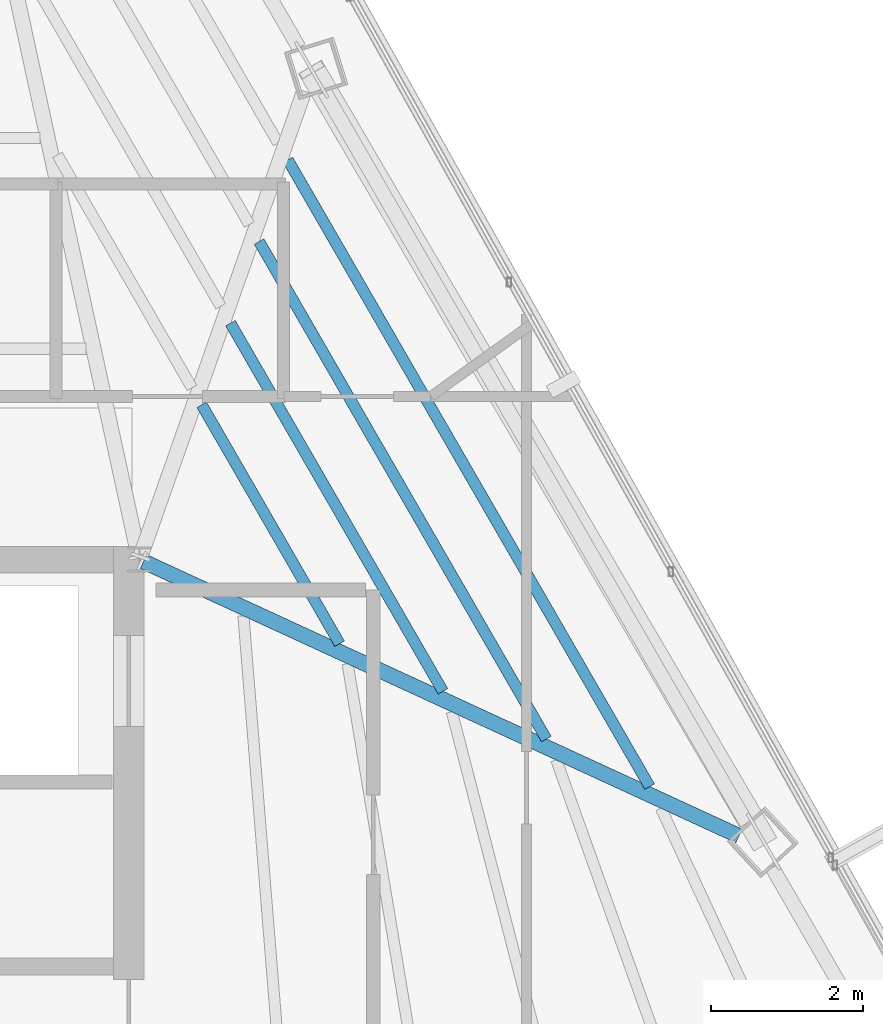
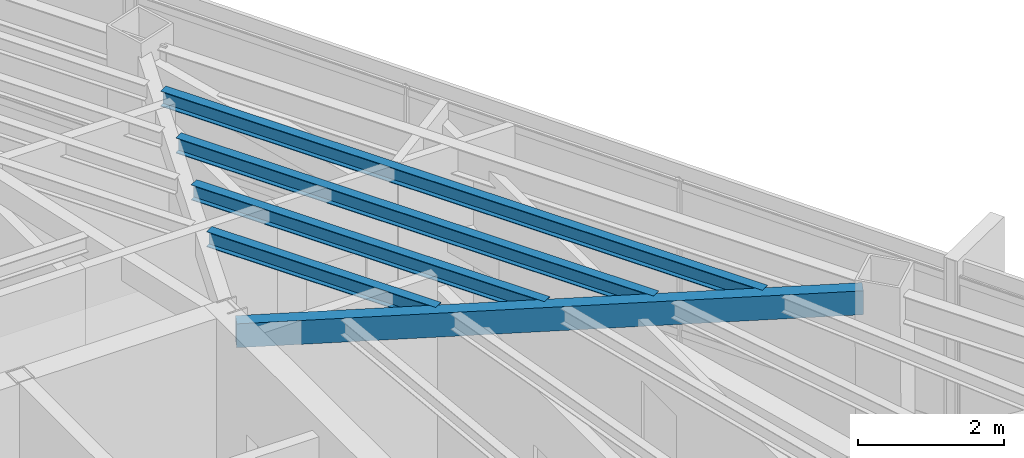
# One storey, part 27 of 46: 5 beams.
"""IFC4 building model written with IfcOpenShell, lengths in metres."""

from ifc_helpers import new_model, si_unit, direction, frame, origin, origin_2d, place, context, subcontext, project, spatial, hollow_rectangle, i_section, extrude, source, transform, mapped, material, material_profile, profile_set, type_object, type_shapes, element, save


model = new_model("IFC4")

# Units and contexts
model_context = context("Model", 3, precision=1e-05, world=origin(), true_north=direction((0.0, 1.0)))
body_context = subcontext(model_context, "Body", "Model", "MODEL_VIEW")
ifc_project = project(units=[si_unit("LENGTHUNIT", "METRE"), si_unit("AREAUNIT", "SQUARE_METRE"), si_unit("VOLUMEUNIT", "CUBIC_METRE"), si_unit("PLANEANGLEUNIT", "RADIAN"), si_unit("MASSUNIT", "GRAM", prefix="KILO")], contexts=[model_context])

# Site, building, storey
site_placement = place(None, origin())
site = spatial("IfcSite", under=ifc_project, at=site_placement, CompositionType="ELEMENT")
building_placement = place(site_placement, origin())
building = spatial("IfcBuilding", under=site, at=building_placement, Name="Caelisora Broadcast Tower", CompositionType="ELEMENT")
storey_placement = place(building_placement, frame((0.0, 0.0, 251.75)))
storey = spatial("IfcBuildingStorey", under=building, at=storey_placement, Name="L66", CompositionType="ELEMENT", Elevation=251.75)

# Beams
ifc_material_1 = material(Name="Steel Grade 350 (AS/NZS 1163 C350L0)", Category="steel")
ifc_material_profile_1 = material_profile(ifc_material_1, hollow_rectangle(XDim=0.199951171875, YDim=0.39990234375, WallThickness=0.012451171875, at=origin_2d()), Name="Steel Grade 350 (AS/NZS 1163 C350L0)")
ifc_profile_set_1 = profile_set([ifc_material_profile_1], Name="Steel Grade 350 (AS/NZS 1163 C350L0)")
beam_type_1 = type_object("IfcBeamType", Name="PG07", PredefinedType="BEAM", material=ifc_profile_set_1)
shared_shape_1 = source(origin(), body_context, "Body", "SweptSolid", [
    extrude(hollow_rectangle(XDim=0.199951171875, YDim=0.39990234375, WallThickness=0.012451171875, at=origin_2d()), origin(), (0.0, 0.0, 1.0), 8.63818359375),
])
type_shapes(beam_type_1, [shared_shape_1])
beam_1_placement = place(storey_placement, frame((45.554443359375, 29.974853515625, 3.199951171875), z_axis=(0.908170206854, -0.418601093384, 0.0), x_axis=(0.418601093384, 0.908170206854, 0.0)))
element("IfcBeam", 1, at=beam_1_placement, inside=storey, type_object=beam_type_1, Name="L66 beam PG07", PredefinedType="BEAM", context=body_context, shape_type="MappedRepresentation", body=[
    mapped(shared_shape_1, transform((0.0, 0.0, 0.0), scale=1.0)),
])
ifc_material_2 = material(Name="Steel Grade 350 (AS/NZS 3679.1)", Category="steel")
ifc_material_profile_2 = material_profile(ifc_material_2, i_section(OverallWidth=0.14599609375, OverallDepth=0.256103515625, WebThickness=0.00634765625, FlangeThickness=0.010986328125, at=origin_2d()), Name="Steel Grade 350 (AS/NZS 3679.1)")
ifc_profile_set_2 = profile_set([ifc_material_profile_2], Name="Steel Grade 350 (AS/NZS 3679.1)")
beam_type_2 = type_object("IfcBeamType", Name="SB04", PredefinedType="JOIST", material=ifc_profile_set_2)
shared_shape_2 = source(origin(), body_context, "Body", "SweptSolid", [
    extrude(i_section(OverallWidth=0.14599609375, OverallDepth=0.256103515625, WebThickness=0.00634765625, FlangeThickness=0.010986328125, at=origin_2d()), origin(), (0.0, 0.0, 1.0), 3.634521484375),
])
beam_2_placement = place(storey_placement, frame((48.13818359375, 28.89208984375, 3.27197265625), z_axis=(-0.499960853992, 0.866048003563, 0.0), x_axis=(-0.866048003563, -0.499960853992, 0.0)))
element("IfcBeam", 2, at=beam_2_placement, inside=storey, type_object=beam_type_2, Name="L66 beam SB04", PredefinedType="JOIST", context=body_context, shape_type="MappedRepresentation", body=[
    mapped(shared_shape_2, transform((0.0, 0.0, 0.0), scale=1.0)),
])
shared_shape_3 = source(origin(), body_context, "Body", "SweptSolid", [
    extrude(i_section(OverallWidth=0.14599609375, OverallDepth=0.256103515625, WebThickness=0.00634765625, FlangeThickness=0.010986328125, at=origin_2d()), origin(), (0.0, 0.0, 1.0), 5.601318359375),
])
beam_3_placement = place(storey_placement, frame((49.5, 28.264404296875, 3.27197265625), z_axis=(-0.500020512648, 0.866013560478, 0.0), x_axis=(-0.866013560478, -0.500020512648, 0.0)))
element("IfcBeam", 3, at=beam_3_placement, inside=storey, type_object=beam_type_2, Name="L66 beam SB04", PredefinedType="JOIST", context=body_context, shape_type="MappedRepresentation", body=[
    mapped(shared_shape_3, transform((0.0, 0.0, 0.0), scale=1.0)),
])
shared_shape_4 = source(origin(), body_context, "Body", "SweptSolid", [
    extrude(i_section(OverallWidth=0.14599609375, OverallDepth=0.256103515625, WebThickness=0.00634765625, FlangeThickness=0.010986328125, at=origin_2d()), origin(), (0.0, 0.0, 1.0), 7.56787109375),
])
beam_4_placement = place(storey_placement, frame((50.861572265625, 27.636962890625, 3.27197265625), z_axis=(-0.500000774816, 0.866024956444, 0.0), x_axis=(-0.866024956444, -0.500000774816, 0.0)))
element("IfcBeam", 4, at=beam_4_placement, inside=storey, type_object=beam_type_2, Name="L66 beam SB04", PredefinedType="JOIST", context=body_context, shape_type="MappedRepresentation", body=[
    mapped(shared_shape_4, transform((0.0, 0.0, 0.0), scale=1.0)),
])
shared_shape_5 = source(origin(), body_context, "Body", "SweptSolid", [
    extrude(i_section(OverallWidth=0.14599609375, OverallDepth=0.256103515625, WebThickness=0.00634765625, FlangeThickness=0.010986328125, at=origin_2d()), origin(), (0.0, 0.0, 1.0), 9.53466796875),
])
type_shapes(beam_type_2, [shared_shape_2, shared_shape_3, shared_shape_4, shared_shape_5])
beam_5_placement = place(storey_placement, frame((52.223388671875, 27.00927734375, 3.27197265625), z_axis=(-0.499997295977, 0.866026964947, 0.0), x_axis=(-0.866026964947, -0.499997295977, 0.0)))
element("IfcBeam", 5, at=beam_5_placement, inside=storey, type_object=beam_type_2, Name="L66 beam SB04", PredefinedType="JOIST", context=body_context, shape_type="MappedRepresentation", body=[
    mapped(shared_shape_5, transform((0.0, 0.0, 0.0), scale=1.0)),
])

save(model, "model.ifc")
